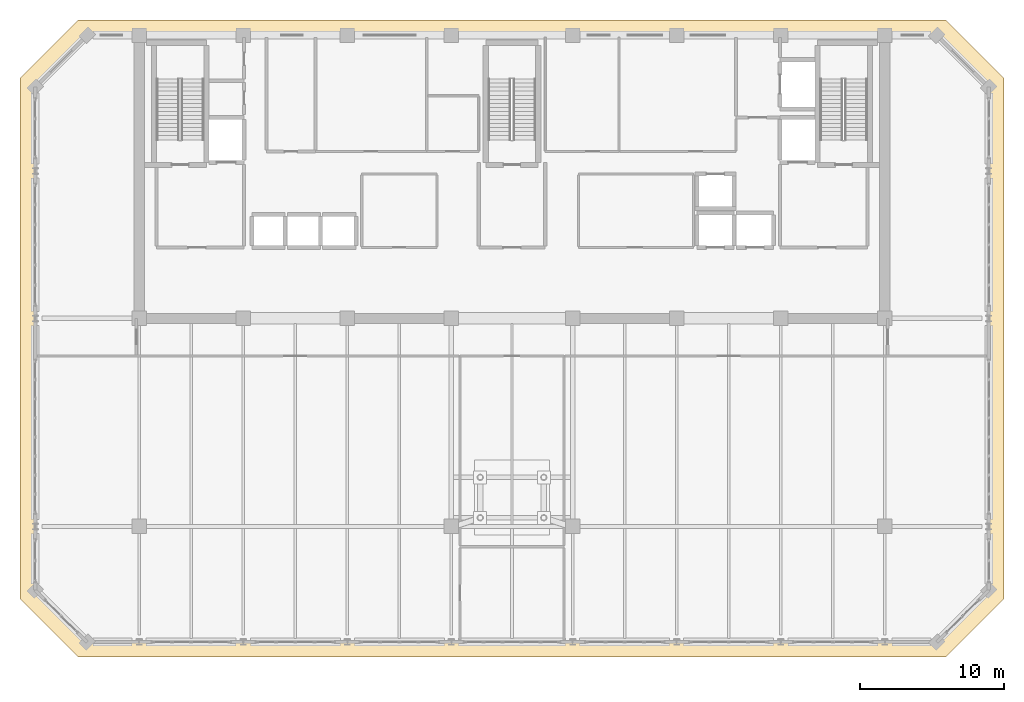
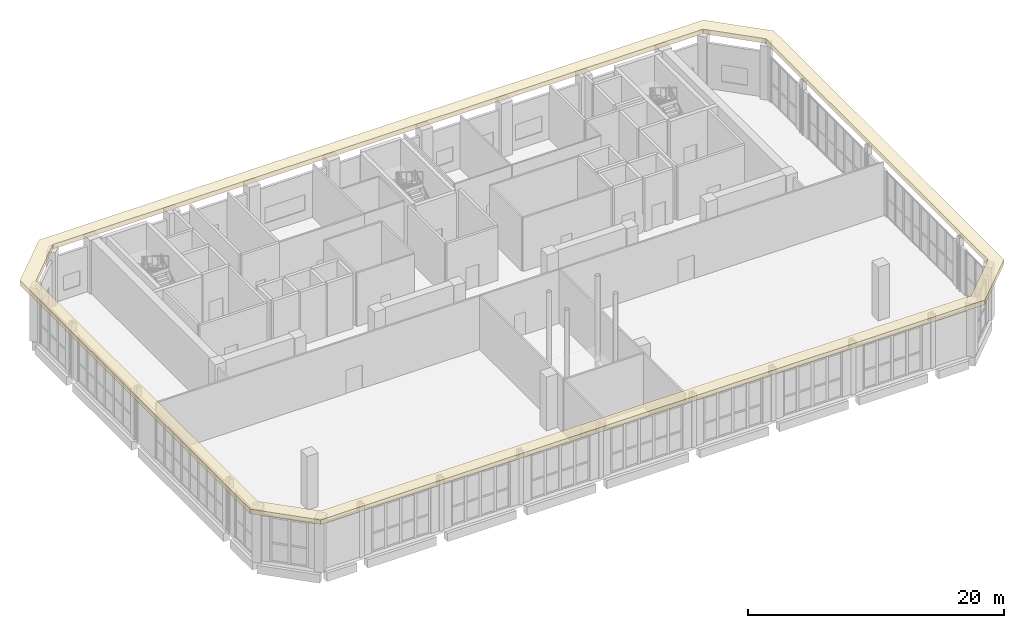
# One storey, part 24 of 26: 1 covering.
"""IFC4 building model written with IfcOpenShell, lengths in metres."""

from ifc_helpers import new_model, si_unit, direction, frame, origin, place, context, subcontext, project, spatial, polyline, outline, extrude, material, layer, layer_set, type_object, element, save


model = new_model("IFC4")

# Units and contexts
model_context = context("Model", 3, precision=1e-05, world=origin(), true_north=direction((0.0, 1.0)))
body_context = subcontext(model_context, "Body", "Model", "MODEL_VIEW")
ifc_project = project(units=[si_unit("LENGTHUNIT", "METRE"), si_unit("AREAUNIT", "SQUARE_METRE"), si_unit("VOLUMEUNIT", "CUBIC_METRE"), si_unit("PLANEANGLEUNIT", "RADIAN"), si_unit("MASSUNIT", "GRAM", prefix="KILO")], contexts=[model_context])

# Site, building, storey
site_placement = place(None, origin())
site = spatial("IfcSite", under=ifc_project, at=site_placement, CompositionType="ELEMENT")
building_placement = place(site_placement, origin())
building = spatial("IfcBuilding", under=site, at=building_placement, Name="Kaelvorn Grand Hotel", CompositionType="ELEMENT")
storey_placement = place(building_placement, frame((0.0, 0.0, 294.699951171875)))
storey = spatial("IfcBuildingStorey", under=building, at=storey_placement, Name="L72", CompositionType="ELEMENT", Elevation=294.699951171875)

# Covering
ifc_material = material(Name="Precast concrete C45/55", Category="concrete")
ifc_layer = layer(ifc_material, 0.260009765625)
ifc_layer_set = layer_set([ifc_layer], Name="Precast concrete C45/55")
covering_type = type_object("IfcCoveringType", Name="COV-BAND-STREAMLINE-HEAD", PredefinedType="CLADDING", material=ifc_layer_set)
covering_placement = place(storey_placement, frame((0.0, 0.0, 5.10009765625)))
element("IfcCovering", 1, at=covering_placement, inside=storey, type_object=covering_type, Name="L72 Streamline Moderne Wraparound Horizontal Eyebrow Band", PredefinedType="CLADDING", context=body_context, shape_type="SweptSolid", body=[
    extrude(outline(polyline([(11.989990234375, 5.949951171875), (72.010009765625, 5.949951171875), (76.050048828125, 9.989990234375), (76.050048828125, 46.010009765625), (72.010009765625, 50.050048828125), (11.989990234375, 50.050048828125), (7.949951171875, 46.010009765625), (7.949951171875, 9.989990234375), (11.989990234375, 5.949951171875)]), holes=[polyline([(12.6201171875, 7.030029296875), (71.3798828125, 7.030029296875), (74.969970703125, 10.6201171875), (74.969970703125, 45.3798828125), (71.3798828125, 48.969970703125), (12.6201171875, 48.969970703125), (9.030029296875, 45.3798828125), (9.030029296875, 10.6201171875), (12.6201171875, 7.030029296875)])]), origin(), (0.0, 0.0, 1.0), 0.43994140625),
])

save(model, "model.ifc")
